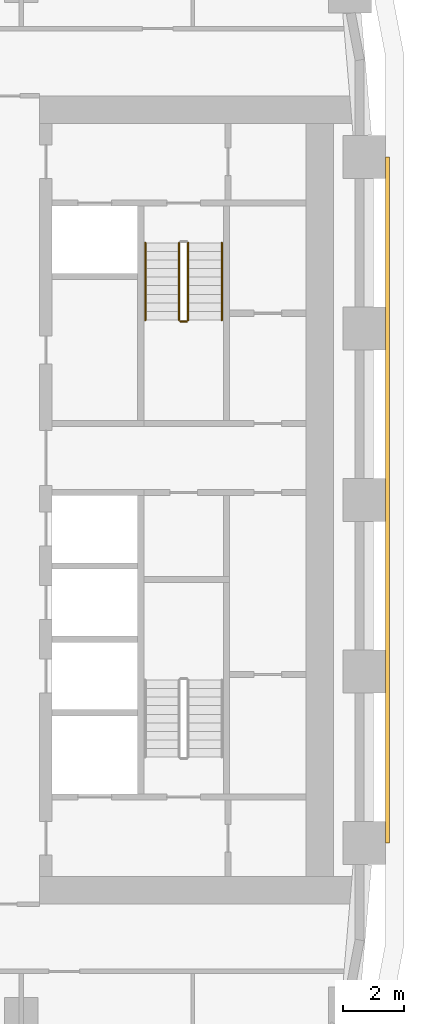
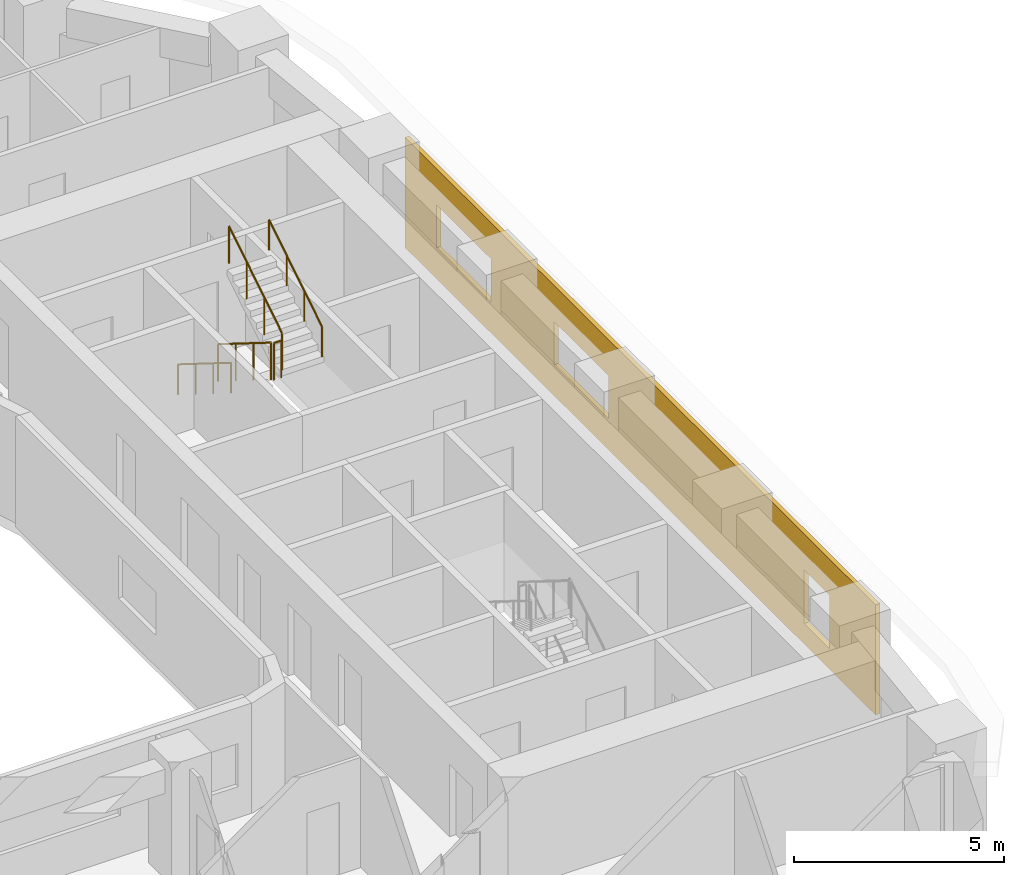
# One storey, part 19 of 22: 5 railings, 1 covering.
"""IFC4 building model written with IfcOpenShell, lengths in metres."""

from ifc_helpers import new_model, si_unit, direction, frame, origin, origin_2d, place, context, subcontext, project, spatial, polyline, circle, outline, extrude, material, layer, layer_set, type_object, element, save


model = new_model("IFC4")

# Units and contexts
model_context = context("Model", 3, precision=1e-05, world=origin(), true_north=direction((0.0, 1.0)))
body_context = subcontext(model_context, "Body", "Model", "MODEL_VIEW")
ifc_project = project(units=[si_unit("LENGTHUNIT", "METRE"), si_unit("AREAUNIT", "SQUARE_METRE"), si_unit("VOLUMEUNIT", "CUBIC_METRE"), si_unit("PLANEANGLEUNIT", "RADIAN"), si_unit("MASSUNIT", "GRAM", prefix="KILO")], contexts=[model_context])

# Site, building, storey
site_placement = place(None, origin())
site = spatial("IfcSite", under=ifc_project, at=site_placement, CompositionType="ELEMENT")
building_placement = place(site_placement, origin())
building = spatial("IfcBuilding", under=site, at=building_placement, Name="Kiln Ring Residences", CompositionType="ELEMENT")
storey_placement = place(building_placement, frame((0.0, 0.0, 58.5)))
storey = spatial("IfcBuildingStorey", under=building, at=storey_placement, Name="L14", CompositionType="ELEMENT", Elevation=58.5)

# Railings
ifc_material_1 = material(Name="Stainless steel", Category="steel")
railing_type_1 = type_object("IfcRailingType", Name="CORE-STAIR-GUARD", PredefinedType="GUARDRAIL", material=ifc_material_1)
railing_1_placement = place(storey_placement, frame((21.949951171875, 8.39990234375, 0.175048828125)))
element("IfcRailing", 1, at=railing_1_placement, inside=storey, type_object=railing_type_1, Name="L14 E-STN stair guard 1", PredefinedType="GUARDRAIL", context=body_context, shape_type="SweptSolid", body=[
    extrude(circle(Radius=0.02392578125, at=origin_2d()), frame((0.0, 0.0, 1.076171875), z_axis=(0.0, -0.848007534815, 0.529984170421), x_axis=(1.0, 0.0, 0.0)), (0.0, 0.0, 1.0), 2.9716796875),
    extrude(circle(Radius=0.02099609375, at=origin_2d()), origin(), (0.0, 0.0, 1.0), 1.052001953125),
    extrude(circle(Radius=0.02099609375, at=origin_2d()), frame((0.0, -0.840087890625, 0.52490234375)), (0.0, 0.0, 1.0), 1.052001953125),
    extrude(circle(Radius=0.02099609375, at=origin_2d()), frame((0.0, -1.679931640625, 1.050048828125)), (0.0, 0.0, 1.0), 1.052001953125),
    extrude(circle(Radius=0.02099609375, at=origin_2d()), frame((0.0, -2.52001953125, 1.574951171875)), (0.0, 0.0, 1.0), 1.052001953125),
])
railing_2_placement = place(storey_placement, frame((22.0, 5.830078125, 1.75)))
element("IfcRailing", 2, at=railing_2_placement, inside=storey, type_object=railing_type_1, Name="L14 E-STN stair guard 2", PredefinedType="GUARDRAIL", context=body_context, shape_type="SweptSolid", body=[
    extrude(circle(Radius=0.02392578125, at=origin_2d()), frame((0.0, 0.0, 1.076171875), z_axis=(1.0, 0.0, 0.0), x_axis=(0.0, 1.0, 0.0)), (0.0, 0.0, 1.0), 0.199951171875),
    extrude(circle(Radius=0.02099609375, at=origin_2d()), origin(), (0.0, 0.0, 1.0), 1.052001953125),
    extrude(circle(Radius=0.02099609375, at=origin_2d()), frame((0.199951171875, 0.0, 0.0)), (0.0, 0.0, 1.0), 1.052001953125),
])
railing_3_placement = place(storey_placement, frame((22.25, 5.8798828125, 1.925048828125)))
element("IfcRailing", 3, at=railing_3_placement, inside=storey, type_object=railing_type_1, Name="L14 E-STN stair guard 3", PredefinedType="GUARDRAIL", context=body_context, shape_type="SweptSolid", body=[
    extrude(circle(Radius=0.02392578125, at=origin_2d()), frame((0.0, 0.0, 1.076171875), z_axis=(0.0, 0.848007534815, 0.529984170421), x_axis=(-1.0, 0.0, 0.0)), (0.0, 0.0, 1.0), 2.9716796875),
    extrude(circle(Radius=0.02099609375, at=origin_2d()), origin(), (0.0, 0.0, 1.0), 1.052001953125),
    extrude(circle(Radius=0.02099609375, at=origin_2d()), frame((0.0, 0.840087890625, 0.52490234375)), (0.0, 0.0, 1.0), 1.052001953125),
    extrude(circle(Radius=0.02099609375, at=origin_2d()), frame((0.0, 1.679931640625, 1.050048828125)), (0.0, 0.0, 1.0), 1.052001953125),
    extrude(circle(Radius=0.02099609375, at=origin_2d()), frame((0.0, 2.52001953125, 1.574951171875)), (0.0, 0.0, 1.0), 1.052001953125),
])
ifc_material_2 = material(Name="Stainless steel", Category="steel")
railing_type_2 = type_object("IfcRailingType", Name="CORE-STAIR-HANDRAIL", PredefinedType="HANDRAIL", material=ifc_material_2)
railing_4_placement = place(storey_placement, frame((20.85009765625, 8.39990234375, 0.175048828125)))
element("IfcRailing", 4, at=railing_4_placement, inside=storey, type_object=railing_type_2, Name="L14 E-STN stair handrail 1", PredefinedType="HANDRAIL", context=body_context, shape_type="SweptSolid", body=[
    extrude(circle(Radius=0.02392578125, at=origin_2d()), frame((0.0, 0.0, 0.8759765625), z_axis=(0.0, -0.848007534815, 0.529984170421), x_axis=(1.0, 0.0, 0.0)), (0.0, 0.0, 1.0), 2.9716796875),
    extrude(circle(Radius=0.02099609375, at=origin_2d()), origin(), (0.0, 0.0, 1.0), 0.851806640625),
    extrude(circle(Radius=0.02099609375, at=origin_2d()), frame((0.0, -0.840087890625, 0.52490234375)), (0.0, 0.0, 1.0), 0.851806640625),
    extrude(circle(Radius=0.02099609375, at=origin_2d()), frame((0.0, -1.679931640625, 1.050048828125)), (0.0, 0.0, 1.0), 0.851806640625),
    extrude(circle(Radius=0.02099609375, at=origin_2d()), frame((0.0, -2.52001953125, 1.574951171875)), (0.0, 0.0, 1.0), 0.851806640625),
])
railing_5_placement = place(storey_placement, frame((23.35009765625, 5.8798828125, 1.925048828125)))
element("IfcRailing", 5, at=railing_5_placement, inside=storey, type_object=railing_type_2, Name="L14 E-STN stair handrail 2", PredefinedType="HANDRAIL", context=body_context, shape_type="SweptSolid", body=[
    extrude(circle(Radius=0.02392578125, at=origin_2d()), frame((0.0, 0.0, 0.8759765625), z_axis=(0.0, 0.848007534815, 0.529984170421), x_axis=(-1.0, 0.0, 0.0)), (0.0, 0.0, 1.0), 2.9716796875),
    extrude(circle(Radius=0.02099609375, at=origin_2d()), origin(), (0.0, 0.0, 1.0), 0.851806640625),
    extrude(circle(Radius=0.02099609375, at=origin_2d()), frame((0.0, 0.840087890625, 0.52490234375)), (0.0, 0.0, 1.0), 0.851806640625),
    extrude(circle(Radius=0.02099609375, at=origin_2d()), frame((0.0, 1.679931640625, 1.050048828125)), (0.0, 0.0, 1.0), 0.851806640625),
    extrude(circle(Radius=0.02099609375, at=origin_2d()), frame((0.0, 2.52001953125, 1.574951171875)), (0.0, 0.0, 1.0), 0.851806640625),
])

# Covering
ifc_material_3 = material(Name="Brick masonry, dark clay brick", Category="masonry")
ifc_layer = layer(ifc_material_3, 0.1201171875)
ifc_layer_set = layer_set([ifc_layer], Name="RAINSCREEN PANEL 120")
covering_type = type_object("IfcCoveringType", Name="RAINSCREEN PANEL 120", PredefinedType="CLADDING", material=ifc_layer_set)
covering_placement = place(storey_placement, frame((28.760009765625, -11.199951171875, 0.0), z_axis=(0.0, 0.0, 1.0), x_axis=(0.0, 1.0, 0.0)))
element("IfcCovering", 6, at=covering_placement, inside=storey, type_object=covering_type, Name="RAINSCREEN L14", PredefinedType="CLADDING", context=body_context, shape_type="SweptSolid", body=[
    extrude(outline(polyline([(0.0, 0.0), (22.39990234375, 0.0), (22.39990234375, 3.199951171875), (0.0, 3.199951171875), (0.0, 0.0)]), holes=[polyline([(3.39990234375, 2.14990234375), (2.199951171875, 2.14990234375), (2.199951171875, 0.60009765625), (3.39990234375, 0.60009765625), (3.39990234375, 2.14990234375)]), polyline([(15.300048828125, 0.89990234375), (15.300048828125, 2.14990234375), (12.699951171875, 2.14990234375), (12.699951171875, 0.89990234375), (15.300048828125, 0.89990234375)]), polyline([(20.89990234375, 0.89990234375), (20.89990234375, 2.14990234375), (18.300048828125, 2.14990234375), (18.300048828125, 0.89990234375), (20.89990234375, 0.89990234375)])]), frame((0.0, 0.06005859375, 0.0), z_axis=(0.0, -1.0, 0.0), x_axis=(1.0, 0.0, 0.0)), (0.0, 0.0, 1.0), 0.1201171875),
])

save(model, "model.ifc")
